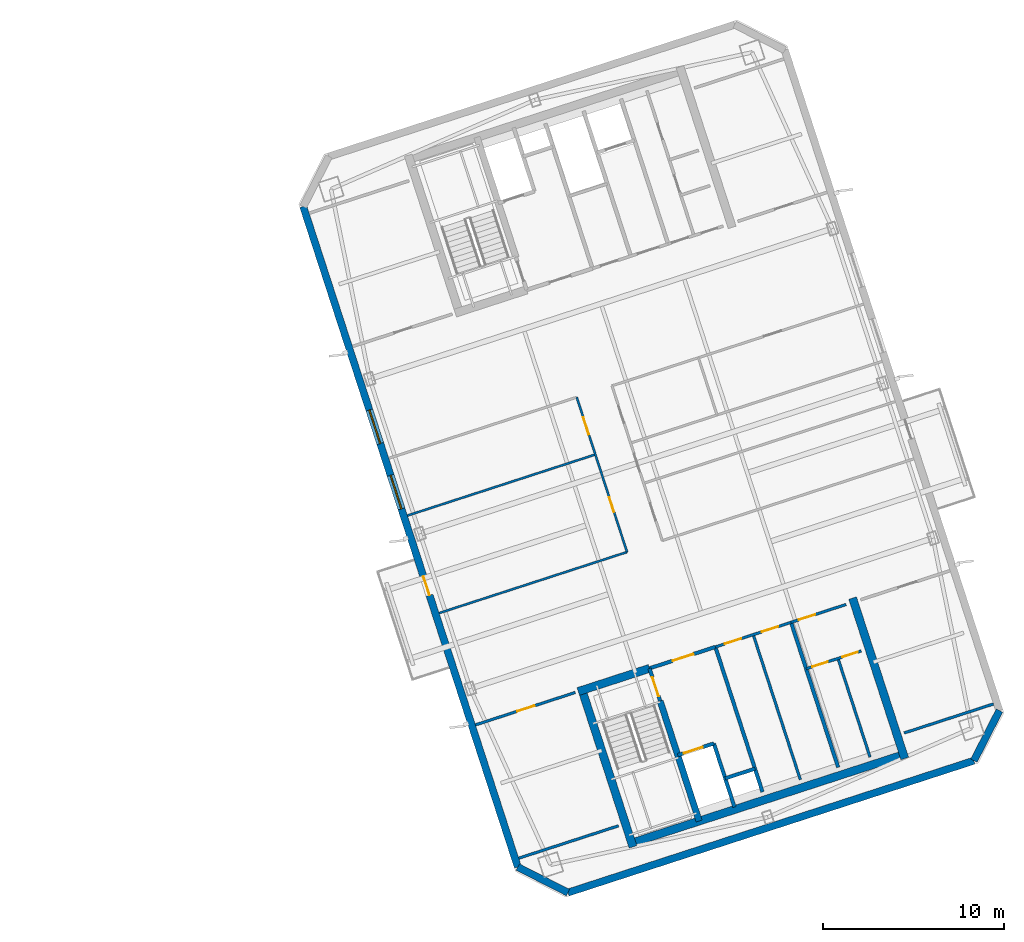
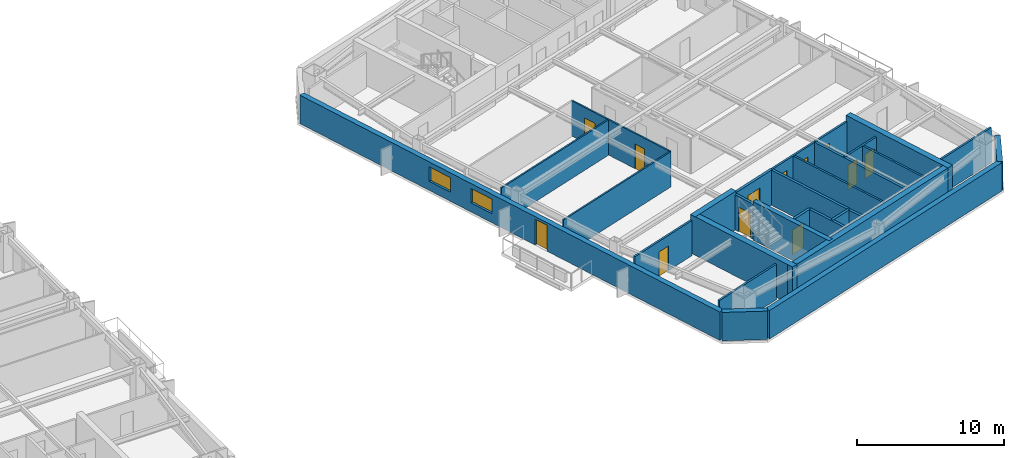
# One storey, part 9 of 18: 27 walls, 12 doors, 2 windows, 14 openings.
"""IFC4 building model written with IfcOpenShell, lengths in metres."""

from ifc_helpers import new_model, si_unit, direction, frame, frame_2d, origin, place, context, subcontext, project, spatial, rectangle, extrude, material, layer, layer_set, type_object, element, fill, save


model = new_model("IFC4")

# Units and contexts
model_context = context("Model", 3, precision=1e-05, world=origin(), true_north=direction((0.0, 1.0)))
body_context = subcontext(model_context, "Body", "Model", "MODEL_VIEW")
ifc_project = project(units=[si_unit("LENGTHUNIT", "METRE"), si_unit("AREAUNIT", "SQUARE_METRE"), si_unit("VOLUMEUNIT", "CUBIC_METRE"), si_unit("PLANEANGLEUNIT", "RADIAN"), si_unit("MASSUNIT", "GRAM", prefix="KILO")], contexts=[model_context])

# Site, building, storey
site_placement = place(None, origin())
site = spatial("IfcSite", under=ifc_project, at=site_placement, CompositionType="ELEMENT")
building_placement = place(site_placement, origin())
building = spatial("IfcBuilding", under=site, at=building_placement, Name="Qiaolan Cultural Towers", CompositionType="ELEMENT")
storey_placement = place(building_placement, frame((0.0, 0.0, 237.60009765625)))
storey = spatial("IfcBuildingStorey", under=building, at=storey_placement, Name="L64", CompositionType="ELEMENT", Elevation=237.60009765625)

# Walls
ifc_material_1 = material(Name="Concrete C50", Category="concrete")
ifc_layer_1 = layer(ifc_material_1, 0.35009765625)
ifc_layer_set_1 = layer_set([ifc_layer_1], Name="Concrete C50")
wall_type_1 = type_object("IfcWallType", Name="WL-CORE-350", PredefinedType="SHEAR", material=ifc_layer_set_1)
wall_1_placement = place(storey_placement, frame((90.486328125, 20.59423828125, 0.0), z_axis=(0.0, 0.0, 1.0), x_axis=(0.309020428229, -0.951055400562, 0.0)))
element("IfcWall", 1, at=wall_1_placement, inside=storey, type_object=wall_type_1, Name="L64 T2-CS Stair Core Dividing Web", PredefinedType="SHEAR", context=body_context, shape_type="SweptSolid", body=[
    extrude(rectangle(XDim=6.97998046875, YDim=0.35009765625, at=frame_2d((3.489990234375, 0.0))), origin(), (0.0, 0.0, 1.0), 3.199951171875),
])
ifc_material_2 = material(Name="Concrete C50", Category="concrete")
ifc_layer_2 = layer(ifc_material_2, 0.449951171875)
ifc_layer_set_2 = layer_set([ifc_layer_2], Name="Concrete C50")
wall_type_2 = type_object("IfcWallType", Name="WL-CORE-450", PredefinedType="SHEAR", material=ifc_layer_set_2)
wall_2_placement = place(storey_placement, frame((88.701171875, 12.675048828125, 0.0), z_axis=(0.0, 0.0, 1.0), x_axis=(0.95105824505, 0.309011673763, 0.0)))
element("IfcWall", 2, at=wall_2_placement, inside=storey, type_object=wall_type_2, Name="L64 T2-CS Outer Core Shear Wall", PredefinedType="SHEAR", context=body_context, shape_type="SweptSolid", body=[
    extrude(rectangle(XDim=16.250244140625, YDim=0.449951171875, at=frame_2d((8.125, 0.0))), origin(), (0.0, 0.0, 1.0), 3.199951171875),
])
for number, where, z_axis, x_axis, name in (
    (3, (86.1015625, 21.40380859375, 0.0), (0.0, 0.0, 1.0), (0.309035778627, -0.951050412717, 0.0), "L64 T2-CS West Core Shear Wall"),
    (4, (101.12841796875, 26.286376953125, 0.0), (0.0, 0.0, 1.0), (0.309004419953, -0.951060601881, 0.0), "L64 T2-CS East Core Shear Wall"),
):
    element("IfcWall", number, at=place(storey_placement, frame(where, z_axis=z_axis, x_axis=x_axis)), inside=storey, type_object=wall_type_2, Name=name, PredefinedType="SHEAR", context=body_context, shape_type="SweptSolid", body=[
        extrude(rectangle(XDim=9.330078125, YDim=0.449951171875, at=frame_2d((4.6650390625, 0.0))), origin(), (0.0, 0.0, 1.0), 3.199951171875),
    ])
wall_3_placement = place(storey_placement, frame((85.957275390625, 21.120361328125, 0.0), z_axis=(0.0, 0.0, 1.0), x_axis=(0.951064796122, 0.308991510526, 0.0)))
element("IfcWall", 5, at=wall_3_placement, inside=storey, type_object=wall_type_2, Name="L64 T2-CS Stair Front Shear Wall", PredefinedType="SHEAR", context=body_context, shape_type="SweptSolid", body=[
    extrude(rectangle(XDim=4.14501953125, YDim=0.449951171875, at=frame_2d((2.072509765625, 0.0))), origin(), (0.0, 0.0, 1.0), 3.199951171875),
])

# Wall, openings, door, windows
ifc_material_3 = material(Name="Precast Concrete C50 Honed Stone Pier", Category="masonry")
ifc_layer_3 = layer(ifc_material_3, 0.39990234375)
ifc_layer_set_3 = layer_set([ifc_layer_3], Name="Precast Concrete C50 Honed Stone Pier")
wall_type_3 = type_object("IfcWallType", Name="WL-EXT-PIER-400", PredefinedType="SOLIDWALL", material=ifc_layer_set_3)
wall_4_placement = place(storey_placement, frame((82.618408203125, 11.41357421875, 0.0), z_axis=(0.0, 0.0, 1.0), x_axis=(-0.309016491071, 0.951056679828, 0.0)))
wall_4 = element("IfcWall", 6, at=wall_4_placement, inside=storey, type_object=wall_type_3, Name="L64 East Tower Precast Pier Facade Wall F1", PredefinedType="SOLIDWALL", context=body_context, shape_type="SweptSolid", body=[
    extrude(rectangle(XDim=38.39990234375, YDim=0.39990234375, at=frame_2d((19.199951171875, 0.0))), origin(), (0.0, 0.0, 1.0), 2.35986328125),
])
opening_1_placement = place(wall_4_placement, frame((20.824951171875, 0.0, 0.75)))
opening_1 = element("IfcOpeningElement", 7, at=opening_1_placement, cuts=wall_4, Name="Opening W-06", PredefinedType="OPENING", context=body_context, shape_type="SweptSolid", body=[
    extrude(rectangle(XDim=1.949951171875, YDim=1.2099609375, at=frame_2d((0.97509765625, 0.60498046875))), frame((0.0, 0.2099609375, 0.0), z_axis=(0.0, -1.0, 0.0), x_axis=(1.0, 0.0, 0.0)), (0.0, 0.0, 1.0), 0.419921875),
])
opening_2_placement = place(wall_4_placement, frame((24.625, 0.0, 0.75)))
opening_2 = element("IfcOpeningElement", 8, at=opening_2_placement, cuts=wall_4, Name="Opening W-06", PredefinedType="OPENING", context=body_context, shape_type="SweptSolid", body=[
    extrude(rectangle(XDim=1.949951171875, YDim=1.2099609375, at=frame_2d((0.97509765625, 0.60498046875))), frame((0.0, 0.2099609375, 0.0), z_axis=(0.0, -1.0, 0.0), x_axis=(1.0, 0.0, 0.0)), (0.0, 0.0, 1.0), 0.419921875),
])
opening_3_placement = place(wall_4_placement, frame((15.800048828125, 0.0, 0.0)))
opening_3 = element("IfcOpeningElement", 9, at=opening_3_placement, cuts=wall_4, Name="Opening BD-01", PredefinedType="OPENING", context=body_context, shape_type="SweptSolid", body=[
    extrude(rectangle(XDim=1.10009765625, YDim=2.14990234375, at=frame_2d((0.550048828125, 1.074951171875))), frame((0.0, 0.2099609375, 0.0), z_axis=(0.0, -1.0, 0.0), x_axis=(1.0, 0.0, 0.0)), (0.0, 0.0, 1.0), 0.419921875),
])
ifc_material_4 = material(Name="Thermally Broken Aluminium Glazed Terrace Door", Category="aluminium")
door_type_1 = type_object("IfcDoorType", Name="DR-BAL-1100", OperationType="NOTDEFINED", PredefinedType="DOOR", material=ifc_material_4)
door_1_placement = place(opening_3_placement, origin())
door_1 = element("IfcDoor", 10, at=door_1_placement, inside=storey, type_object=door_type_1, Name="L64 T2 West Tree Balcony Door", OperationType="SINGLE_SWING_LEFT", OverallHeight=2.14990234375, OverallWidth=1.10009765625, PredefinedType="DOOR", context=body_context, shape_type="SweptSolid", body=[
    extrude(rectangle(XDim=1.10009765625, YDim=2.14990234375, at=frame_2d((0.550048828125, 1.074951171875))), frame((0.0, 0.02490234375, 0.0), z_axis=(0.0, -1.0, 0.0), x_axis=(1.0, 0.0, 0.0)), (0.0, 0.0, 1.0), 0.050048828125),
])
fill(opening_3, door_1)
ifc_material_5 = material(Name="Thermally Broken Aluminium Triple Low-E Glazing", Category="aluminium")
window_type = type_object("IfcWindowType", Name="WN-CHIC-1950", PartitioningType="SINGLE_PANEL", PredefinedType="WINDOW", material=ifc_material_5)
window_1_placement = place(opening_1_placement, origin())
window_1 = element("IfcWindow", 11, at=window_1_placement, inside=storey, type_object=window_type, Name="L64 T2 W Chicago Bay Window 1", OverallHeight=1.2099609375, OverallWidth=1.949951171875, PartitioningType="TRIPLE_PANEL_VERTICAL", PredefinedType="WINDOW", context=body_context, shape_type="SweptSolid", body=[
    extrude(rectangle(XDim=1.949951171875, YDim=1.2099609375, at=frame_2d((0.97509765625, 0.60498046875))), frame((0.0, 0.030029296875, 0.0), z_axis=(0.0, -1.0, 0.0), x_axis=(1.0, 0.0, 0.0)), (0.0, 0.0, 1.0), 0.06005859375),
])
fill(opening_1, window_1)
window_2_placement = place(opening_2_placement, origin())
window_2 = element("IfcWindow", 12, at=window_2_placement, inside=storey, type_object=window_type, Name="L64 T2 W Chicago Bay Window 2", OverallHeight=1.2099609375, OverallWidth=1.949951171875, PartitioningType="TRIPLE_PANEL_VERTICAL", PredefinedType="WINDOW", context=body_context, shape_type="SweptSolid", body=[
    extrude(rectangle(XDim=1.949951171875, YDim=1.2099609375, at=frame_2d((0.97509765625, 0.60498046875))), frame((0.0, 0.030029296875, 0.0), z_axis=(0.0, -1.0, 0.0), x_axis=(1.0, 0.0, 0.0)), (0.0, 0.0, 1.0), 0.06005859375),
])
fill(opening_2, window_2)

# Walls
wall_5_placement = place(storey_placement, frame((109.247802734375, 20.06591796875, 0.0), z_axis=(0.0, 0.0, 1.0), x_axis=(-0.453949291228, -0.891027519774, 0.0)))
element("IfcWall", 13, at=wall_5_placement, inside=storey, type_object=wall_type_3, Name="L64 East Tower Precast Pier Facade Wall F6", PredefinedType="SOLIDWALL", context=body_context, shape_type="SweptSolid", body=[
    extrude(rectangle(XDim=3.111328125, YDim=0.39990234375, at=frame_2d((1.5556640625, 0.0))), origin(), (0.0, 0.0, 1.0), 2.35986328125),
])
wall_6_placement = place(storey_placement, frame((107.83544921875, 17.293701171875, 0.0), z_axis=(0.0, 0.0, 1.0), x_axis=(-0.951058012937, -0.309012388148, 0.0)))
element("IfcWall", 14, at=wall_6_placement, inside=storey, type_object=wall_type_3, Name="L64 East Tower Precast Pier Facade Wall F7", PredefinedType="SOLIDWALL", context=body_context, shape_type="SweptSolid", body=[
    extrude(rectangle(XDim=23.60009765625, YDim=0.39990234375, at=frame_2d((11.800048828125, 0.0))), origin(), (0.0, 0.0, 1.0), 2.35986328125),
])
wall_7_placement = place(storey_placement, frame((85.390380859375, 10.0009765625, 0.0), z_axis=(0.0, 0.0, 1.0), x_axis=(-0.890979603174, 0.454043331334, 0.0)))
element("IfcWall", 15, at=wall_7_placement, inside=storey, type_object=wall_type_3, Name="L64 East Tower Precast Pier Facade Wall F8", PredefinedType="SOLIDWALL", context=body_context, shape_type="SweptSolid", body=[
    extrude(rectangle(XDim=3.111083984375, YDim=0.39990234375, at=frame_2d((1.5556640625, 0.0))), origin(), (0.0, 0.0, 1.0), 2.35986328125),
])

# Wall, opening, door
ifc_material_6 = material(Name="Concrete C35 Fire Wall", Category="concrete")
ifc_layer_4 = layer(ifc_material_6, 0.199951171875)
ifc_layer_set_4 = layer_set([ifc_layer_4], Name="Concrete C35 Fire Wall")
wall_type_4 = type_object("IfcWallType", Name="WL-FIRE-200", PredefinedType="PARTITIONING", material=ifc_layer_set_4)
wall_8_placement = place(storey_placement, frame((89.8994140625, 22.401123046875, 0.0), z_axis=(0.0, 0.0, 1.0), x_axis=(0.308932062672, -0.951084108086, 0.0)))
wall_8 = element("IfcWall", 16, at=wall_8_placement, inside=storey, type_object=wall_type_4, Name="L64 T2-CS Smokeproof Stair Entry Wall", PredefinedType="PARTITIONING", context=body_context, shape_type="SweptSolid", body=[
    extrude(rectangle(XDim=1.89990234375, YDim=0.199951171875, at=frame_2d((0.949951171875, 0.0))), origin(), (0.0, 0.0, 1.0), 2.9248046875),
])
opening_4_placement = place(wall_8_placement, frame((0.52001953125, 0.0, 0.0)))
opening_4 = element("IfcOpeningElement", 17, at=opening_4_placement, cuts=wall_8, Name="Opening FD-04", PredefinedType="OPENING", context=body_context, shape_type="SweptSolid", body=[
    extrude(rectangle(XDim=1.10009765625, YDim=2.050048828125, at=frame_2d((0.550048828125, 1.02490234375))), frame((0.0, 0.10986328125, 0.0), z_axis=(0.0, -1.0, 0.0), x_axis=(1.0, 0.0, 0.0)), (0.0, 0.0, 1.0), 0.219970703125),
])
ifc_material_7 = material(Name="Galvanized Steel Command Fire Door", Category="steel")
door_type_2 = type_object("IfcDoorType", Name="DR-FD90-1100", OperationType="NOTDEFINED", PredefinedType="DOOR", material=ifc_material_7)
door_2_placement = place(opening_4_placement, origin())
door_2 = element("IfcDoor", 18, at=door_2_placement, inside=storey, type_object=door_type_2, Name="L64 ST-E1 Smokeproof Stair Fire Door", OperationType="SINGLE_SWING_LEFT", OverallHeight=2.050048828125, OverallWidth=1.10009765625, PredefinedType="DOOR", context=body_context, shape_type="SweptSolid", body=[
    extrude(rectangle(XDim=1.10009765625, YDim=2.050048828125, at=frame_2d((0.550048828125, 1.02490234375))), frame((0.0, 0.02490234375, 0.0), z_axis=(0.0, -1.0, 0.0), x_axis=(1.0, 0.0, 0.0)), (0.0, 0.0, 1.0), 0.050048828125),
])
fill(opening_4, door_2)

# Wall
wall_9_placement = place(storey_placement, frame((93.541748046875, 23.584716796875, 0.0), z_axis=(0.0, 0.0, 1.0), x_axis=(0.309042196757, -0.951048327176, 0.0)))
element("IfcWall", 19, at=wall_9_placement, inside=storey, type_object=wall_type_4, Name="L64 T2-CS Firefighting Zone Wall", PredefinedType="PARTITIONING", context=body_context, shape_type="SweptSolid", body=[
    extrude(rectangle(XDim=8.429931640625, YDim=0.199951171875, at=frame_2d((4.21484375, 0.0))), origin(), (0.0, 0.0, 1.0), 2.9248046875),
])

# Wall, opening, door
wall_10_placement = place(storey_placement, frame((89.8994140625, 22.401123046875, 0.0), z_axis=(0.0, 0.0, 1.0), x_axis=(0.951046716504, 0.309047153403, 0.0)))
wall_10 = element("IfcWall", 20, at=wall_10_placement, inside=storey, type_object=wall_type_4, Name="L64 T2-CS Firefighting Lobby Front Wall", PredefinedType="PARTITIONING", context=body_context, shape_type="SweptSolid", body=[
    extrude(rectangle(XDim=3.829833984375, YDim=0.199951171875, at=frame_2d((1.9150390625, 0.0))), origin(), (0.0, 0.0, 1.0), 2.9248046875),
])
opening_5_placement = place(wall_10_placement, frame((1.35009765625, 0.0, 0.0)))
opening_5 = element("IfcOpeningElement", 21, at=opening_5_placement, cuts=wall_10, Name="Opening FD-03", PredefinedType="OPENING", context=body_context, shape_type="SweptSolid", body=[
    extrude(rectangle(XDim=1.199951171875, YDim=2.050048828125, at=frame_2d((0.60009765625, 1.02490234375))), frame((0.0, 0.10986328125, 0.0), z_axis=(0.0, -1.0, 0.0), x_axis=(1.0, 0.0, 0.0)), (0.0, 0.0, 1.0), 0.219970703125),
])
ifc_material_8 = material(Name="Galvanized Steel Smokeproof Lobby Fire Door", Category="steel")
door_type_3 = type_object("IfcDoorType", Name="DR-FD90-1200", OperationType="NOTDEFINED", PredefinedType="DOOR", material=ifc_material_8)
door_3_placement = place(opening_5_placement, origin())
door_3 = element("IfcDoor", 22, at=door_3_placement, inside=storey, type_object=door_type_3, Name="L64 FFL-E1 Firefighting Lobby Fire Door", OperationType="SINGLE_SWING_LEFT", OverallHeight=2.050048828125, OverallWidth=1.199951171875, PredefinedType="DOOR", context=body_context, shape_type="SweptSolid", body=[
    extrude(rectangle(XDim=1.199951171875, YDim=2.050048828125, at=frame_2d((0.60009765625, 1.02490234375))), frame((0.0, 0.02490234375, 0.0), z_axis=(0.0, -1.0, 0.0), x_axis=(1.0, 0.0, 0.0)), (0.0, 0.0, 1.0), 0.050048828125),
])
fill(opening_5, door_3)

wall_11_placement = place(storey_placement, frame((91.459716796875, 17.598388671875, 0.0), z_axis=(0.0, 0.0, 1.0), x_axis=(0.951062257173, 0.308999325213, 0.0)))
wall_11 = element("IfcWall", 23, at=wall_11_placement, inside=storey, type_object=wall_type_4, Name="L64 T2-CS Firefighting Shaft Front Wall", PredefinedType="PARTITIONING", context=body_context, shape_type="SweptSolid", body=[
    extrude(rectangle(XDim=2.10009765625, YDim=0.199951171875, at=frame_2d((1.050048828125, 0.0))), origin(), (0.0, 0.0, 1.0), 2.9248046875),
])
opening_6_placement = place(wall_11_placement, frame((0.35009765625, 0.0, 0.0)))
opening_6 = element("IfcOpeningElement", 24, at=opening_6_placement, cuts=wall_11, Name="Opening LD-01", PredefinedType="OPENING", context=body_context, shape_type="SweptSolid", body=[
    extrude(rectangle(XDim=1.10009765625, YDim=2.050048828125, at=frame_2d((0.550048828125, 1.02490234375))), frame((0.0, 0.10986328125, 0.0), z_axis=(0.0, -1.0, 0.0), x_axis=(1.0, 0.0, 0.0)), (0.0, 0.0, 1.0), 0.219970703125),
])
ifc_material_9 = material(Name="Brushed Stainless Steel S30408 Centre-Parting Lift Landing Door", Category="steel")
door_type_4 = type_object("IfcDoorType", Name="DR-LIFT-1100", OperationType="NOTDEFINED", PredefinedType="DOOR", material=ifc_material_9)
door_4_placement = place(opening_6_placement, origin())
door_4 = element("IfcDoor", 25, at=door_4_placement, inside=storey, type_object=door_type_4, Name="L64 FFL-E1 Firefighting Lift Landing Door", OperationType="DOUBLE_DOOR_SLIDING", OverallHeight=2.050048828125, OverallWidth=1.10009765625, PredefinedType="DOOR", context=body_context, shape_type="SweptSolid", body=[
    extrude(rectangle(XDim=1.10009765625, YDim=2.050048828125, at=frame_2d((0.550048828125, 1.02490234375))), frame((0.0, 0.02490234375, 0.0), z_axis=(0.0, -1.0, 0.0), x_axis=(1.0, 0.0, 0.0)), (0.0, 0.0, 1.0), 0.050048828125),
])
fill(opening_6, door_4)

# Walls
wall_12_placement = place(storey_placement, frame((93.45703125, 18.247314453125, 0.0), z_axis=(0.0, 0.0, 1.0), x_axis=(0.3089935693, -0.951064127245, 0.0)))
element("IfcWall", 26, at=wall_12_placement, inside=storey, type_object=wall_type_4, Name="L64 T2-CS Firefighting Hoistway East Wall", PredefinedType="PARTITIONING", context=body_context, shape_type="SweptSolid", body=[
    extrude(rectangle(XDim=3.7001953125, YDim=0.199951171875, at=frame_2d((1.85009765625, 0.0))), origin(), (0.0, 0.0, 1.0), 2.9248046875),
])
wall_13_placement = place(storey_placement, frame((94.08447265625, 16.316650390625, 0.0), z_axis=(0.0, 0.0, 1.0), x_axis=(0.951041328149, 0.309063734775, 0.0)))
element("IfcWall", 27, at=wall_13_placement, inside=storey, type_object=wall_type_4, Name="L64 T2-CS Pressurization Shaft Front Wall", PredefinedType="PARTITIONING", context=body_context, shape_type="SweptSolid", body=[
    extrude(rectangle(XDim=1.72998046875, YDim=0.199951171875, at=frame_2d((0.864990234375, 0.0))), origin(), (0.0, 0.0, 1.0), 2.9248046875),
])
wall_14_placement = place(storey_placement, frame((97.7265625, 24.9443359375, 0.0), z_axis=(0.0, 0.0, 1.0), x_axis=(0.309016001439, -0.951056838919, 0.0)))
element("IfcWall", 28, at=wall_14_placement, inside=storey, type_object=wall_type_4, Name="L64 T2-CS Lift Core East Wall", PredefinedType="PARTITIONING", context=body_context, shape_type="SweptSolid", body=[
    extrude(rectangle(XDim=8.429931640625, YDim=0.199951171875, at=frame_2d((4.21484375, 0.0))), origin(), (0.0, 0.0, 1.0), 2.9248046875),
])
ifc_material_10 = material(Name="Gypsum Stud Acoustic Partition", Category="gypsum")
ifc_layer_5 = layer(ifc_material_10, 0.1201171875)
ifc_layer_set_5 = layer_set([ifc_layer_5], Name="Gypsum Stud Acoustic Partition")
wall_type_5 = type_object("IfcWallType", Name="WL-PART-120", PredefinedType="PARTITIONING", material=ifc_layer_set_5)
wall_15_placement = place(storey_placement, frame((78.26611328125, 25.455810546875, 0.0), z_axis=(0.0, 0.0, 1.0), x_axis=(0.951056072529, 0.309018360142, 0.0)))
element("IfcWall", 29, at=wall_15_placement, inside=storey, type_object=wall_type_5, Name="L64 T2 South Foyer West Wall", PredefinedType="PARTITIONING", context=body_context, shape_type="SweptSolid", body=[
    extrude(rectangle(XDim=10.9248046875, YDim=0.1201171875, at=frame_2d((5.46240234375, 0.0))), origin(), (0.0, 0.0, 1.0), 2.9248046875),
])

# Wall, openings, doors
wall_16_placement = place(storey_placement, frame((88.65625, 28.831787109375, 0.0), z_axis=(0.0, 0.0, 1.0), x_axis=(-0.309000197986, 0.951061973609, 0.0)))
wall_16 = element("IfcWall", 30, at=wall_16_placement, inside=storey, type_object=wall_type_5, Name="L64 T2 Central Spine West Wall", PredefinedType="PARTITIONING", context=body_context, shape_type="SweptSolid", body=[
    extrude(rectangle(XDim=9.0, YDim=0.1201171875, at=frame_2d((4.5, 0.0))), origin(), (0.0, 0.0, 1.0), 2.9248046875),
])
opening_7_placement = place(wall_16_placement, frame((2.3349609375, 0.0, 0.0)))
opening_7 = element("IfcOpeningElement", 31, at=opening_7_placement, cuts=wall_16, Name="Opening ID-09", PredefinedType="OPENING", context=body_context, shape_type="SweptSolid", body=[
    extrude(rectangle(XDim=0.85009765625, YDim=2.050048828125, at=frame_2d((0.425048828125, 1.02490234375))), frame((0.0, 0.070068359375, 0.0), z_axis=(0.0, -1.0, 0.0), x_axis=(1.0, 0.0, 0.0)), (0.0, 0.0, 1.0), 0.14013671875),
])
opening_8_placement = place(wall_16_placement, frame((6.8349609375, 0.0, 0.0)))
opening_8 = element("IfcOpeningElement", 32, at=opening_8_placement, cuts=wall_16, Name="Opening ID-04", PredefinedType="OPENING", context=body_context, shape_type="SweptSolid", body=[
    extrude(rectangle(XDim=1.0, YDim=2.050048828125, at=frame_2d((0.5, 1.02490234375))), frame((0.0, 0.070068359375, 0.0), z_axis=(0.0, -1.0, 0.0), x_axis=(1.0, 0.0, 0.0)), (0.0, 0.0, 1.0), 0.14013671875),
])
ifc_material_11 = material(Name="Oak Veneer Acoustic Office Door", Category="timber")
door_type_5 = type_object("IfcDoorType", Name="DR-INT-1000", OperationType="NOTDEFINED", PredefinedType="DOOR", material=ifc_material_11)
door_5_placement = place(opening_8_placement, origin())
door_5 = element("IfcDoor", 33, at=door_5_placement, inside=storey, type_object=door_type_5, Name="L64 T2 Diplomatic Lounge Door", OperationType="SINGLE_SWING_RIGHT", OverallHeight=2.050048828125, OverallWidth=1.0, PredefinedType="DOOR", context=body_context, shape_type="SweptSolid", body=[
    extrude(rectangle(XDim=1.0, YDim=2.050048828125, at=frame_2d((0.5, 1.02490234375))), frame((0.0, 0.02490234375, 0.0), z_axis=(0.0, -1.0, 0.0), x_axis=(1.0, 0.0, 0.0)), (0.0, 0.0, 1.0), 0.050048828125),
])
fill(opening_8, door_5)
ifc_material_12 = material(Name="Moisture-Resistant Laminate Utility Door", Category="timber")
door_type_6 = type_object("IfcDoorType", Name="DR-INT-850", OperationType="NOTDEFINED", PredefinedType="DOOR", material=ifc_material_12)
door_6_placement = place(opening_7_placement, origin())
door_6 = element("IfcDoor", 34, at=door_6_placement, inside=storey, type_object=door_type_6, Name="L64 T2 Presidential Conference Room Door", OperationType="SINGLE_SWING_LEFT", OverallHeight=2.050048828125, OverallWidth=0.85009765625, PredefinedType="DOOR", context=body_context, shape_type="SweptSolid", body=[
    extrude(rectangle(XDim=0.85009765625, YDim=2.050048828125, at=frame_2d((0.425048828125, 1.02490234375))), frame((0.0, 0.02490234375, 0.0), z_axis=(0.0, -1.0, 0.0), x_axis=(1.0, 0.0, 0.0)), (0.0, 0.0, 1.0), 0.050048828125),
])
fill(opening_7, door_6)

# Wall
wall_17_placement = place(storey_placement, frame((76.513916015625, 30.848388671875, 0.0), z_axis=(0.0, 0.0, 1.0), x_axis=(0.951056072529, 0.309018360142, 0.0)))
element("IfcWall", 35, at=wall_17_placement, inside=storey, type_object=wall_type_5, Name="L64 T2 Interior Wall", PredefinedType="PARTITIONING", context=body_context, shape_type="SweptSolid", body=[
    extrude(rectangle(XDim=10.9248046875, YDim=0.1201171875, at=frame_2d((5.46240234375, 0.0))), origin(), (0.0, 0.0, 1.0), 2.9248046875),
])

# Wall, openings, doors
ifc_material_13 = material(Name="Autoclaved Aerated Concrete Block B06", Category="concrete")
ifc_layer_6 = layer(ifc_material_13, 0.14990234375)
ifc_layer_set_6 = layer_set([ifc_layer_6], Name="Autoclaved Aerated Concrete Block B06")
wall_type_6 = type_object("IfcWallType", Name="WL-PART-150", PredefinedType="PARTITIONING", material=ifc_layer_set_6)
wall_18_placement = place(storey_placement, frame((93.541748046875, 23.584716796875, 0.0), z_axis=(0.0, 0.0, 1.0), x_axis=(0.951063829732, 0.308994485023, 0.0)))
wall_18 = element("IfcWall", 36, at=wall_18_placement, inside=storey, type_object=wall_type_6, Name="L64 T2-CS Reclaimed Core Room Front Wall", PredefinedType="PARTITIONING", context=body_context, shape_type="SweptSolid", body=[
    extrude(rectangle(XDim=4.400146484375, YDim=0.14990234375, at=frame_2d((2.2001953125, 0.0))), origin(), (0.0, 0.0, 1.0), 2.9248046875),
])
opening_9_placement = place(wall_18_placement, frame((0.550048828125, 0.0, 0.0)))
opening_9 = element("IfcOpeningElement", 37, at=opening_9_placement, cuts=wall_18, Name="Opening ID-05", PredefinedType="OPENING", context=body_context, shape_type="SweptSolid", body=[
    extrude(rectangle(XDim=0.949951171875, YDim=2.050048828125, at=frame_2d((0.47509765625, 1.02490234375))), frame((0.0, 0.0849609375, 0.0), z_axis=(0.0, -1.0, 0.0), x_axis=(1.0, 0.0, 0.0)), (0.0, 0.0, 1.0), 0.169921875),
])
opening_10_placement = place(wall_18_placement, frame((2.699951171875, 0.0, 0.0)))
opening_10 = element("IfcOpeningElement", 38, at=opening_10_placement, cuts=wall_18, Name="Opening ID-05", PredefinedType="OPENING", context=body_context, shape_type="SweptSolid", body=[
    extrude(rectangle(XDim=0.949951171875, YDim=2.050048828125, at=frame_2d((0.47509765625, 1.02490234375))), frame((0.0, 0.0849609375, 0.0), z_axis=(0.0, -1.0, 0.0), x_axis=(1.0, 0.0, 0.0)), (0.0, 0.0, 1.0), 0.169921875),
])
ifc_material_14 = material(Name="Fire-Rated Laminate Accessible Core Door", Category="timber")
door_type_7 = type_object("IfcDoorType", Name="DR-INT-950", OperationType="NOTDEFINED", PredefinedType="DOOR", material=ifc_material_14)
door_7_placement = place(opening_9_placement, origin())
door_7 = element("IfcDoor", 39, at=door_7_placement, inside=storey, type_object=door_type_7, Name="L64 Copy Print Room Door", OperationType="SINGLE_SWING_LEFT", OverallHeight=2.050048828125, OverallWidth=0.949951171875, PredefinedType="DOOR", context=body_context, shape_type="SweptSolid", body=[
    extrude(rectangle(XDim=0.949951171875, YDim=2.050048828125, at=frame_2d((0.47509765625, 1.02490234375))), frame((0.0, 0.02490234375, 0.0), z_axis=(0.0, -1.0, 0.0), x_axis=(1.0, 0.0, 0.0)), (0.0, 0.0, 1.0), 0.050048828125),
])
fill(opening_9, door_7)
door_8_placement = place(opening_10_placement, origin())
door_8 = element("IfcDoor", 40, at=door_8_placement, inside=storey, type_object=door_type_7, Name="L64 Tea Pantry Room Door", OperationType="SINGLE_SWING_RIGHT", OverallHeight=2.050048828125, OverallWidth=0.949951171875, PredefinedType="DOOR", context=body_context, shape_type="SweptSolid", body=[
    extrude(rectangle(XDim=0.949951171875, YDim=2.050048828125, at=frame_2d((0.47509765625, 1.02490234375))), frame((0.0, 0.02490234375, 0.0), z_axis=(0.0, -1.0, 0.0), x_axis=(1.0, 0.0, 0.0)), (0.0, 0.0, 1.0), 0.050048828125),
])
fill(opening_10, door_8)

# Wall
wall_19_placement = place(storey_placement, frame((95.63427734375, 24.2646484375, 0.0), z_axis=(0.0, 0.0, 1.0), x_axis=(0.309007490203, -0.951059604335, 0.0)))
element("IfcWall", 41, at=wall_19_placement, inside=storey, type_object=wall_type_6, Name="L64 T2-CS Reclaimed Twin Room Wall", PredefinedType="PARTITIONING", context=body_context, shape_type="SweptSolid", body=[
    extrude(rectangle(XDim=8.43017578125, YDim=0.14990234375, at=frame_2d((4.215087890625, 0.0))), origin(), (0.0, 0.0, 1.0), 2.9248046875),
])

# Wall, opening, door
wall_20_placement = place(storey_placement, frame((97.7265625, 24.9443359375, 0.0), z_axis=(0.0, 0.0, 1.0), x_axis=(0.951036872128, 0.309077446369, 0.0)))
wall_20 = element("IfcWall", 42, at=wall_20_placement, inside=storey, type_object=wall_type_6, Name="L64 T2-CS Sanitary Core Front Wall", PredefinedType="PARTITIONING", context=body_context, shape_type="SweptSolid", body=[
    extrude(rectangle(XDim=3.199951171875, YDim=0.14990234375, at=frame_2d((1.60009765625, 0.0))), origin(), (0.0, 0.0, 1.0), 2.9248046875),
])
opening_11_placement = place(wall_20_placement, frame((0.449951171875, 0.0, 0.0)))
opening_11 = element("IfcOpeningElement", 43, at=opening_11_placement, cuts=wall_20, Name="Opening ID-05", PredefinedType="OPENING", context=body_context, shape_type="SweptSolid", body=[
    extrude(rectangle(XDim=0.949951171875, YDim=2.050048828125, at=frame_2d((0.47509765625, 1.02490234375))), frame((0.0, 0.0849609375, 0.0), z_axis=(0.0, -1.0, 0.0), x_axis=(1.0, 0.0, 0.0)), (0.0, 0.0, 1.0), 0.169921875),
])
door_9_placement = place(opening_11_placement, origin())
door_9 = element("IfcDoor", 44, at=door_9_placement, inside=storey, type_object=door_type_7, Name="L64 Sanitary Vestibule Door", OperationType="SINGLE_SWING_LEFT", OverallHeight=2.050048828125, OverallWidth=0.949951171875, PredefinedType="DOOR", context=body_context, shape_type="SweptSolid", body=[
    extrude(rectangle(XDim=0.949951171875, YDim=2.050048828125, at=frame_2d((0.47509765625, 1.02490234375))), frame((0.0, 0.02490234375, 0.0), z_axis=(0.0, -1.0, 0.0), x_axis=(1.0, 0.0, 0.0)), (0.0, 0.0, 1.0), 0.050048828125),
])
fill(opening_11, door_9)

# Wall, openings, doors
wall_21_placement = place(storey_placement, frame((98.560791015625, 22.37646484375, 0.0), z_axis=(0.0, 0.0, 1.0), x_axis=(0.95104415986, 0.309055020985, 0.0)))
wall_21 = element("IfcWall", 45, at=wall_21_placement, inside=storey, type_object=wall_type_6, Name="L64 T2-CS Restroom Vestibule Wall", PredefinedType="PARTITIONING", context=body_context, shape_type="SweptSolid", body=[
    extrude(rectangle(XDim=3.2001953125, YDim=0.14990234375, at=frame_2d((1.60009765625, 0.0))), origin(), (0.0, 0.0, 1.0), 2.9248046875),
])
opening_12_placement = place(wall_21_placement, frame((0.35009765625, 0.0, 0.0)))
opening_12 = element("IfcOpeningElement", 46, at=opening_12_placement, cuts=wall_21, Name="Opening ID-06", PredefinedType="OPENING", context=body_context, shape_type="SweptSolid", body=[
    extrude(rectangle(XDim=0.89990234375, YDim=2.050048828125, at=frame_2d((0.449951171875, 1.02490234375))), frame((0.0, 0.0849609375, 0.0), z_axis=(0.0, -1.0, 0.0), x_axis=(1.0, 0.0, 0.0)), (0.0, 0.0, 1.0), 0.169921875),
])
opening_13_placement = place(wall_21_placement, frame((2.10009765625, 0.0, 0.0)))
opening_13 = element("IfcOpeningElement", 47, at=opening_13_placement, cuts=wall_21, Name="Opening ID-06", PredefinedType="OPENING", context=body_context, shape_type="SweptSolid", body=[
    extrude(rectangle(XDim=0.89990234375, YDim=2.050048828125, at=frame_2d((0.449951171875, 1.02490234375))), frame((0.0, 0.0849609375, 0.0), z_axis=(0.0, -1.0, 0.0), x_axis=(1.0, 0.0, 0.0)), (0.0, 0.0, 1.0), 0.169921875),
])
ifc_material_15 = material(Name="Fire-Rated Laminate Core Service Door", Category="timber")
door_type_8 = type_object("IfcDoorType", Name="DR-INT-900", OperationType="NOTDEFINED", PredefinedType="DOOR", material=ifc_material_15)
door_10_placement = place(opening_12_placement, origin())
door_10 = element("IfcDoor", 48, at=door_10_placement, inside=storey, type_object=door_type_8, Name="L64 Men Restroom Door", OperationType="SINGLE_SWING_LEFT", OverallHeight=2.050048828125, OverallWidth=0.89990234375, PredefinedType="DOOR", context=body_context, shape_type="SweptSolid", body=[
    extrude(rectangle(XDim=0.89990234375, YDim=2.050048828125, at=frame_2d((0.449951171875, 1.02490234375))), frame((0.0, 0.02490234375, 0.0), z_axis=(0.0, -1.0, 0.0), x_axis=(1.0, 0.0, 0.0)), (0.0, 0.0, 1.0), 0.050048828125),
])
fill(opening_12, door_10)
door_11_placement = place(opening_13_placement, origin())
door_11 = element("IfcDoor", 49, at=door_11_placement, inside=storey, type_object=door_type_8, Name="L64 Accessible & Women Restroom Door", OperationType="SINGLE_SWING_RIGHT", OverallHeight=2.050048828125, OverallWidth=0.89990234375, PredefinedType="DOOR", context=body_context, shape_type="SweptSolid", body=[
    extrude(rectangle(XDim=0.89990234375, YDim=2.050048828125, at=frame_2d((0.449951171875, 1.02490234375))), frame((0.0, 0.02490234375, 0.0), z_axis=(0.0, -1.0, 0.0), x_axis=(1.0, 0.0, 0.0)), (0.0, 0.0, 1.0), 0.050048828125),
])
fill(opening_13, door_11)

# Walls
wall_22_placement = place(storey_placement, frame((100.3203125, 22.9482421875, 0.0), z_axis=(0.0, 0.0, 1.0), x_axis=(0.309035009867, -0.951050662518, 0.0)))
element("IfcWall", 50, at=wall_22_placement, inside=storey, type_object=wall_type_6, Name="L64 T2-CS Restroom Divider Wall", PredefinedType="PARTITIONING", context=body_context, shape_type="SweptSolid", body=[
    extrude(rectangle(XDim=5.72998046875, YDim=0.14990234375, at=frame_2d((2.864990234375, 0.0))), origin(), (0.0, 0.0, 1.0), 2.9248046875),
])
wall_23_placement = place(storey_placement, frame((82.66943359375, 11.9033203125, 0.0), z_axis=(0.0, 0.0, 1.0), x_axis=(0.951059431056, 0.309008023519, 0.0)))
element("IfcWall", 51, at=wall_23_placement, inside=storey, type_object=wall_type_6, Name="L64 T2 Flank Wall FLK-SW", PredefinedType="PARTITIONING", context=body_context, shape_type="SweptSolid", body=[
    extrude(rectangle(XDim=5.800048828125, YDim=0.14990234375, at=frame_2d((2.89990234375, 0.0))), origin(), (0.0, 0.0, 1.0), 2.9248046875),
])

# Wall, opening, door
wall_24_placement = place(storey_placement, frame((80.274658203125, 19.27392578125, 0.0), z_axis=(0.0, 0.0, 1.0), x_axis=(0.951059431056, 0.309008023519, 0.0)))
wall_24 = element("IfcWall", 52, at=wall_24_placement, inside=storey, type_object=wall_type_6, Name="L64 T2 Flank Front FLK-SW", PredefinedType="PARTITIONING", context=body_context, shape_type="SweptSolid", body=[
    extrude(rectangle(XDim=5.800048828125, YDim=0.14990234375, at=frame_2d((2.89990234375, 0.0))), origin(), (0.0, 0.0, 1.0), 2.9248046875),
])
opening_14_placement = place(wall_24_placement, frame((2.43603515625, 0.0, 0.0)))
opening_14 = element("IfcOpeningElement", 53, at=opening_14_placement, cuts=wall_24, Name="Opening ID-04", PredefinedType="OPENING", context=body_context, shape_type="SweptSolid", body=[
    extrude(rectangle(XDim=1.0, YDim=2.050048828125, at=frame_2d((0.5, 1.02490234375))), frame((0.0, 0.0849609375, 0.0), z_axis=(0.0, -1.0, 0.0), x_axis=(1.0, 0.0, 0.0)), (0.0, 0.0, 1.0), 0.169921875),
])
door_12_placement = place(opening_14_placement, origin())
door_12 = element("IfcDoor", 54, at=door_12_placement, inside=storey, type_object=door_type_5, Name="L64 T2 Corner Studio Door", OperationType="SINGLE_SWING_LEFT", OverallHeight=2.050048828125, OverallWidth=1.0, PredefinedType="DOOR", context=body_context, shape_type="SweptSolid", body=[
    extrude(rectangle(XDim=1.0, YDim=2.050048828125, at=frame_2d((0.5, 1.02490234375))), frame((0.0, 0.02490234375, 0.0), z_axis=(0.0, -1.0, 0.0), x_axis=(1.0, 0.0, 0.0)), (0.0, 0.0, 1.0), 0.050048828125),
])
fill(opening_14, door_12)

# Wall
wall_25_placement = place(storey_placement, frame((103.97314453125, 18.8251953125, 0.0), z_axis=(0.0, 0.0, 1.0), x_axis=(0.951055112834, 0.309021313752, 0.0)))
element("IfcWall", 55, at=wall_25_placement, inside=storey, type_object=wall_type_6, Name="L64 T2 Flank Wall FLK-SE", PredefinedType="PARTITIONING", context=body_context, shape_type="SweptSolid", body=[
    extrude(rectangle(XDim=5.2001953125, YDim=0.14990234375, at=frame_2d((2.60009765625, 0.0))), origin(), (0.0, 0.0, 1.0), 2.9248046875),
])

save(model, "model.ifc")
